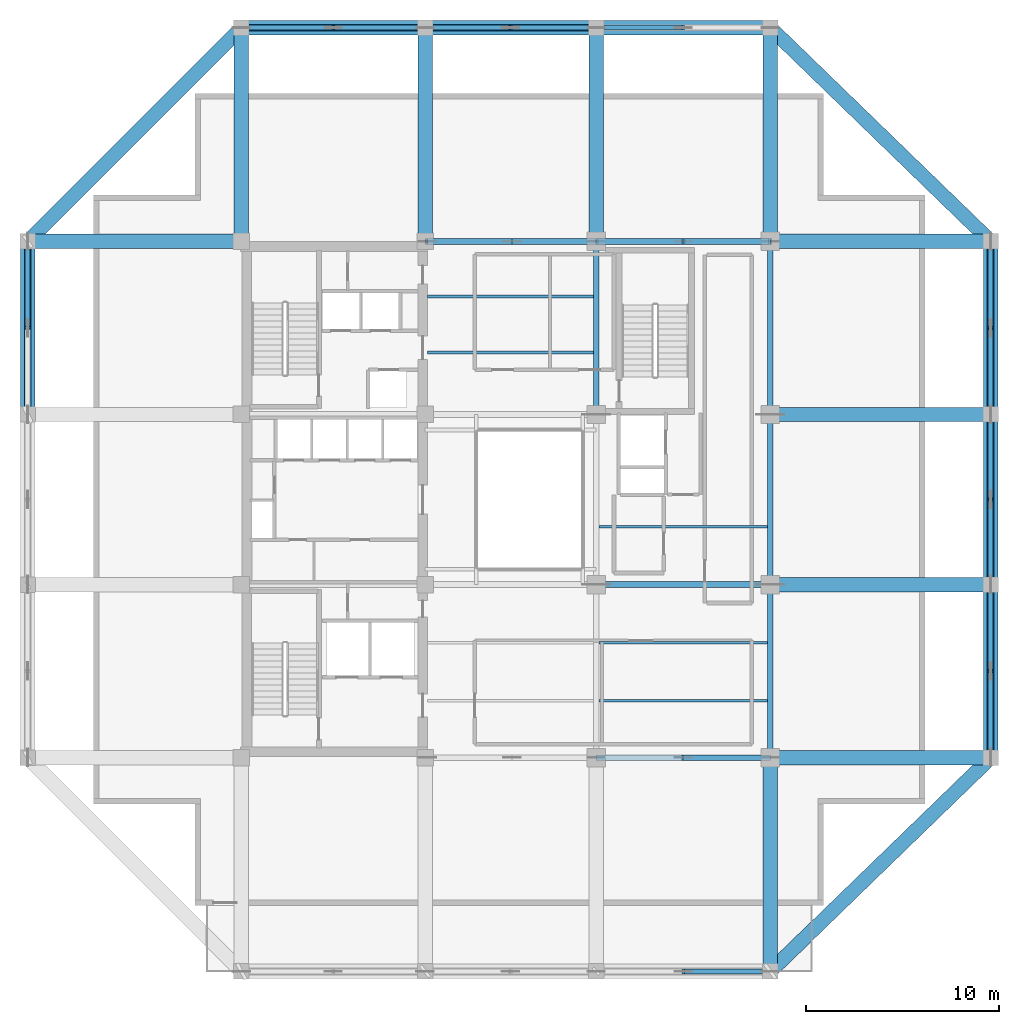
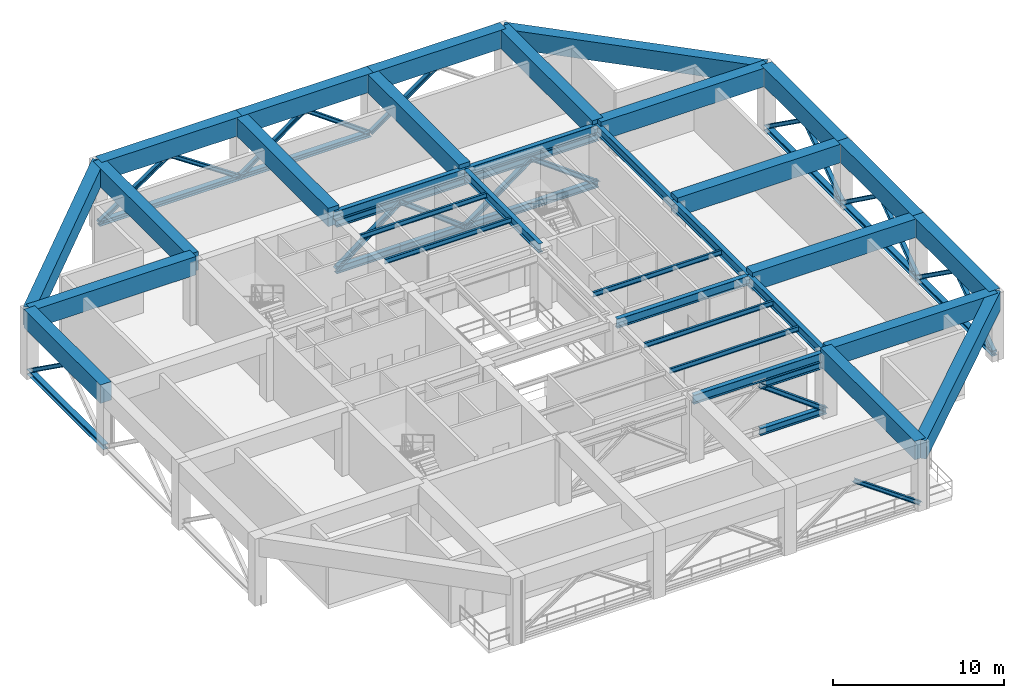
# One storey, part 2 of 10: 34 members, 33 beams.
"""IFC4 building model written with IfcOpenShell, lengths in metres."""

from ifc_helpers import new_model, si_unit, direction, frame, origin, origin_2d, place, context, subcontext, project, spatial, rectangle, i_section, extrude, material, material_profile, profile_set, type_object, element, save


model = new_model("IFC4")

# Units and contexts
model_context = context("Model", 3, precision=1e-05, world=origin(), true_north=direction((0.0, 1.0)))
body_context = subcontext(model_context, "Body", "Model", "MODEL_VIEW")
ifc_project = project(units=[si_unit("LENGTHUNIT", "METRE"), si_unit("AREAUNIT", "SQUARE_METRE"), si_unit("VOLUMEUNIT", "CUBIC_METRE"), si_unit("PLANEANGLEUNIT", "RADIAN"), si_unit("MASSUNIT", "GRAM", prefix="KILO")], contexts=[model_context])

# Site, building, storey
site_placement = place(None, origin())
site = spatial("IfcSite", under=ifc_project, at=site_placement, CompositionType="ELEMENT")
building_placement = place(site_placement, origin())
building = spatial("IfcBuilding", under=site, at=building_placement, Name="Kundavana Baori Tower", CompositionType="ELEMENT")
storey_placement = place(building_placement, frame((0.0, 0.0, 204.10009765625)))
storey = spatial("IfcBuildingStorey", under=building, at=storey_placement, Name="L50", CompositionType="ELEMENT", Elevation=204.10009765625)

# Beams
ifc_material_1 = material(Name="Structural Steel S355JR", Category="steel")
ifc_material_profile_1 = material_profile(ifc_material_1, i_section(OverallWidth=0.139892578125, OverallDepth=0.35009765625, WebThickness=0.008056640625, FlangeThickness=0.01416015625, FilletRadius=0.013916015625, at=origin_2d()), Name="ISMB 350")
ifc_profile_set_1 = profile_set([ifc_material_profile_1], Name="Structural Steel S355JR")
beam_type_1 = type_object("IfcBeamType", Name="BM-JST-350", PredefinedType="JOIST", material=ifc_profile_set_1)
for number, where, z_axis, x_axis, name in (
    (1, (25.080078125, 36.199951171875, 4.324951171875), (1.0, 0.0, 0.0), (0.0, 1.0, 0.0), "L50 Central Bay Composite Floor Joist C3"),
    (2, (25.080078125, 39.10009765625, 4.324951171875), (1.0, 0.0, 0.0), (0.0, 1.0, 0.0), "L50 Central Bay Composite Floor Joist C4"),
):
    element("IfcBeam", number, at=place(storey_placement, frame(where, z_axis=z_axis, x_axis=x_axis)), inside=storey, type_object=beam_type_1, Name=name, PredefinedType="JOIST", context=body_context, shape_type="SweptSolid", body=[
        extrude(i_section(OverallWidth=0.139892578125, OverallDepth=0.35009765625, WebThickness=0.008056640625, FlangeThickness=0.01416015625, FilletRadius=0.013916015625, at=origin_2d()), origin(), (0.0, 0.0, 1.0), 8.56982421875),
    ])
for number, where, z_axis, x_axis, name in (
    (3, (33.949951171875, 18.199951171875, 4.324951171875), (1.0, 0.0, 0.0), (0.0, 1.0, 0.0), "L50 East Bay Composite Floor Joist E1"),
    (4, (33.949951171875, 21.199951171875, 4.324951171875), (1.0, 0.0, 0.0), (0.0, 1.0, 0.0), "L50 East Bay Composite Floor Joist E2"),
    (5, (33.949951171875, 27.199951171875, 4.324951171875), (1.0, 0.0, 0.0), (0.0, 1.0, 0.0), "L50 East Bay Composite Floor Joist E3"),
):
    element("IfcBeam", number, at=place(storey_placement, frame(where, z_axis=z_axis, x_axis=x_axis)), inside=storey, type_object=beam_type_1, Name=name, PredefinedType="JOIST", context=body_context, shape_type="SweptSolid", body=[
        extrude(i_section(OverallWidth=0.139892578125, OverallDepth=0.35009765625, WebThickness=0.008056640625, FlangeThickness=0.01416015625, FilletRadius=0.013916015625, at=origin_2d()), origin(), (0.0, 0.0, 1.0), 8.699951171875),
    ])
ifc_material_2 = material(Name="Structural Steel S355JR", Category="steel")
ifc_material_profile_2 = material_profile(ifc_material_2, i_section(OverallWidth=0.300048828125, OverallDepth=0.64990234375, WebThickness=0.013427734375, FlangeThickness=0.02197265625, FilletRadius=0.02392578125, at=origin_2d()), Name="NPB 650x300x155")
ifc_profile_set_2 = profile_set([ifc_material_profile_2], Name="Structural Steel S355JR")
beam_type_2 = type_object("IfcBeamType", Name="BM-ST-650", PredefinedType="BEAM", material=ifc_profile_set_2)
for number, where, z_axis, x_axis, name in (
    (6, (33.800048828125, 15.25, 4.1748046875), (1.0, 0.0, 0.0), (0.0, 1.0, 0.0), "L50 Primary Grid Girder GX-1-3"),
    (7, (33.800048828125, 24.199951171875, 4.1748046875), (1.0, 0.0, 0.0), (0.0, 1.0, 0.0), "L50 Primary Grid Girder GX-2-3"),
):
    element("IfcBeam", number, at=place(storey_placement, frame(where, z_axis=z_axis, x_axis=x_axis)), inside=storey, type_object=beam_type_2, Name=name, PredefinedType="BEAM", context=body_context, shape_type="SweptSolid", body=[
        extrude(i_section(OverallWidth=0.300048828125, OverallDepth=0.64990234375, WebThickness=0.013427734375, FlangeThickness=0.02197265625, FilletRadius=0.02392578125, at=origin_2d()), origin(), (0.0, 0.0, 1.0), 9.0),
    ])
beam_1_placement = place(storey_placement, frame((24.949951171875, 41.949951171875, 4.1748046875), z_axis=(1.0, 0.0, 0.0), x_axis=(0.0, 1.0, 0.0)))
element("IfcBeam", 8, at=beam_1_placement, inside=storey, type_object=beam_type_2, Name="L50 Primary Grid Girder GX-4-2", PredefinedType="BEAM", context=body_context, shape_type="SweptSolid", body=[
    extrude(i_section(OverallWidth=0.300048828125, OverallDepth=0.64990234375, WebThickness=0.013427734375, FlangeThickness=0.02197265625, FilletRadius=0.02392578125, at=origin_2d()), origin(), (0.0, 0.0, 1.0), 8.85009765625),
])
beam_2_placement = place(storey_placement, frame((33.800048828125, 41.949951171875, 4.1748046875), z_axis=(1.0, 0.0, 0.0), x_axis=(0.0, 1.0, 0.0)))
element("IfcBeam", 9, at=beam_2_placement, inside=storey, type_object=beam_type_2, Name="L50 Primary Grid Girder GX-4-3", PredefinedType="BEAM", context=body_context, shape_type="SweptSolid", body=[
    extrude(i_section(OverallWidth=0.300048828125, OverallDepth=0.64990234375, WebThickness=0.013427734375, FlangeThickness=0.02197265625, FilletRadius=0.02392578125, at=origin_2d()), origin(), (0.0, 0.0, 1.0), 9.0),
])
for number, where, z_axis, x_axis, name in (
    (10, (33.800048828125, 33.0, 4.1748046875), (0.0, 1.0, 0.0), (-1.0, 0.0, 0.0), "L50 Primary Grid Girder GY-3-3"),
    (11, (42.800048828125, 15.25, 4.1748046875), (0.0, 1.0, 0.0), (-1.0, 0.0, 0.0), "L50 Primary Grid Girder GY-4-1"),
):
    element("IfcBeam", number, at=place(storey_placement, frame(where, z_axis=z_axis, x_axis=x_axis)), inside=storey, type_object=beam_type_2, Name=name, PredefinedType="BEAM", context=body_context, shape_type="SweptSolid", body=[
        extrude(i_section(OverallWidth=0.300048828125, OverallDepth=0.64990234375, WebThickness=0.013427734375, FlangeThickness=0.02197265625, FilletRadius=0.02392578125, at=origin_2d()), origin(), (0.0, 0.0, 1.0), 8.949951171875),
    ])
beam_3_placement = place(storey_placement, frame((42.800048828125, 24.199951171875, 4.1748046875), z_axis=(0.0, 1.0, 0.0), x_axis=(-1.0, 0.0, 0.0)))
element("IfcBeam", 12, at=beam_3_placement, inside=storey, type_object=beam_type_2, Name="L50 Primary Grid Girder GY-4-2", PredefinedType="BEAM", context=body_context, shape_type="SweptSolid", body=[
    extrude(i_section(OverallWidth=0.300048828125, OverallDepth=0.64990234375, WebThickness=0.013427734375, FlangeThickness=0.02197265625, FilletRadius=0.02392578125, at=origin_2d()), origin(), (0.0, 0.0, 1.0), 8.800048828125),
])
beam_4_placement = place(storey_placement, frame((42.800048828125, 33.0, 4.1748046875), z_axis=(0.0, 1.0, 0.0), x_axis=(-1.0, 0.0, 0.0)))
element("IfcBeam", 13, at=beam_4_placement, inside=storey, type_object=beam_type_2, Name="L50 Primary Grid Girder GY-4-3", PredefinedType="BEAM", context=body_context, shape_type="SweptSolid", body=[
    extrude(i_section(OverallWidth=0.300048828125, OverallDepth=0.64990234375, WebThickness=0.013427734375, FlangeThickness=0.02197265625, FilletRadius=0.02392578125, at=origin_2d()), origin(), (0.0, 0.0, 1.0), 8.949951171875),
])
ifc_material_3 = material(Name="Concrete C50/60", Category="concrete")
ifc_material_profile_3 = material_profile(ifc_material_3, rectangle(XDim=0.739990234375, YDim=1.320068359375, at=origin_2d()), Name="BM-TG-5")
ifc_profile_set_3 = profile_set([ifc_material_profile_3], Name="Concrete C50/60")
beam_type_3 = type_object("IfcBeamType", Name="BM-TG-5", PredefinedType="USERDEFINED", material=ifc_profile_set_3)
beam_5_placement = place(storey_placement, frame((15.449951171875, 53.0, 4.139892578125), z_axis=(1.0, 0.0, 0.0), x_axis=(0.0, 1.0, 0.0)))
element("IfcBeam", 14, at=beam_5_placement, inside=storey, type_object=beam_type_3, Name="L50 Perimeter Frame Ring Beam N1", ObjectType="TRANSFER GIRDER", PredefinedType="USERDEFINED", context=body_context, shape_type="SweptSolid", body=[
    extrude(rectangle(XDim=0.739990234375, YDim=1.320068359375, at=origin_2d()), origin(), (0.0, 0.0, 1.0), 9.5),
])
beam_6_placement = place(storey_placement, frame((24.949951171875, 53.0, 4.139892578125), z_axis=(1.0, 0.0, 0.0), x_axis=(0.0, 1.0, 0.0)))
element("IfcBeam", 15, at=beam_6_placement, inside=storey, type_object=beam_type_3, Name="L50 Perimeter Frame Ring Beam N2", ObjectType="TRANSFER GIRDER", PredefinedType="USERDEFINED", context=body_context, shape_type="SweptSolid", body=[
    extrude(rectangle(XDim=0.739990234375, YDim=1.320068359375, at=origin_2d()), origin(), (0.0, 0.0, 1.0), 8.85009765625),
])
beam_7_placement = place(storey_placement, frame((33.800048828125, 53.0, 4.139892578125), z_axis=(1.0, 0.0, 0.0), x_axis=(0.0, 1.0, 0.0)))
element("IfcBeam", 16, at=beam_7_placement, inside=storey, type_object=beam_type_3, Name="L50 Perimeter Frame Ring Beam N3", ObjectType="TRANSFER GIRDER", PredefinedType="USERDEFINED", context=body_context, shape_type="SweptSolid", body=[
    extrude(rectangle(XDim=0.739990234375, YDim=1.320068359375, at=origin_2d()), origin(), (0.0, 0.0, 1.0), 9.0),
])
for number, where, z_axis, x_axis, name in (
    (17, (4.39990234375, 33.0, 4.139892578125), (0.0, 1.0, 0.0), (-1.0, 0.0, 0.0), "L50 Perimeter Frame Ring Beam W3"),
    (18, (54.199951171875, 15.25, 4.139892578125), (0.0, 1.0, 0.0), (-1.0, 0.0, 0.0), "L50 Perimeter Frame Ring Beam E1"),
):
    element("IfcBeam", number, at=place(storey_placement, frame(where, z_axis=z_axis, x_axis=x_axis)), inside=storey, type_object=beam_type_3, Name=name, ObjectType="TRANSFER GIRDER", PredefinedType="USERDEFINED", context=body_context, shape_type="SweptSolid", body=[
        extrude(rectangle(XDim=0.739990234375, YDim=1.320068359375, at=origin_2d()), origin(), (0.0, 0.0, 1.0), 8.949951171875),
    ])
beam_8_placement = place(storey_placement, frame((54.199951171875, 24.199951171875, 4.139892578125), z_axis=(0.0, 1.0, 0.0), x_axis=(-1.0, 0.0, 0.0)))
element("IfcBeam", 19, at=beam_8_placement, inside=storey, type_object=beam_type_3, Name="L50 Perimeter Frame Ring Beam E2", ObjectType="TRANSFER GIRDER", PredefinedType="USERDEFINED", context=body_context, shape_type="SweptSolid", body=[
    extrude(rectangle(XDim=0.739990234375, YDim=1.320068359375, at=origin_2d()), origin(), (0.0, 0.0, 1.0), 8.800048828125),
])
beam_9_placement = place(storey_placement, frame((54.199951171875, 33.0, 4.139892578125), z_axis=(0.0, 1.0, 0.0), x_axis=(-1.0, 0.0, 0.0)))
element("IfcBeam", 20, at=beam_9_placement, inside=storey, type_object=beam_type_3, Name="L50 Perimeter Frame Ring Beam E3", ObjectType="TRANSFER GIRDER", PredefinedType="USERDEFINED", context=body_context, shape_type="SweptSolid", body=[
    extrude(rectangle(XDim=0.739990234375, YDim=1.320068359375, at=origin_2d()), origin(), (0.0, 0.0, 1.0), 8.949951171875),
])
beam_10_placement = place(storey_placement, frame((42.800048828125, 4.199951171875, 4.139892578125), z_axis=(0.718038944492, 0.696002926857, 0.0), x_axis=(-0.696002926857, 0.718038944492, 0.0)))
element("IfcBeam", 21, at=beam_10_placement, inside=storey, type_object=beam_type_3, Name="L50 Notched Corner Perimeter Beam SE", ObjectType="TRANSFER GIRDER", PredefinedType="USERDEFINED", context=body_context, shape_type="SweptSolid", body=[
    extrude(rectangle(XDim=0.739990234375, YDim=1.320068359375, at=origin_2d()), origin(), (0.0, 0.0, 1.0), 15.87646484375),
])
beam_11_placement = place(storey_placement, frame((15.449951171875, 53.0, 4.139892578125), z_axis=(-0.707106781187, -0.707106781187, 0.0), x_axis=(0.707106781187, -0.707106781187, 0.0)))
element("IfcBeam", 22, at=beam_11_placement, inside=storey, type_object=beam_type_3, Name="L50 Notched Corner Perimeter Beam NW", ObjectType="TRANSFER GIRDER", PredefinedType="USERDEFINED", context=body_context, shape_type="SweptSolid", body=[
    extrude(rectangle(XDim=0.739990234375, YDim=1.320068359375, at=origin_2d()), origin(), (0.0, 0.0, 1.0), 15.627197265625),
])
beam_12_placement = place(storey_placement, frame((42.800048828125, 53.0, 4.139892578125), z_axis=(0.718038944492, -0.696002926857, 0.0), x_axis=(0.696002926857, 0.718038944492, 0.0)))
element("IfcBeam", 23, at=beam_12_placement, inside=storey, type_object=beam_type_3, Name="L50 Notched Corner Perimeter Beam NE", ObjectType="TRANSFER GIRDER", PredefinedType="USERDEFINED", context=body_context, shape_type="SweptSolid", body=[
    extrude(rectangle(XDim=0.739990234375, YDim=1.320068359375, at=origin_2d()), origin(), (0.0, 0.0, 1.0), 15.87646484375),
])
for number, where, z_axis, x_axis, name in (
    (24, (15.449951171875, 41.949951171875, 4.139892578125), (0.0, 1.0, 0.0), (-1.0, 0.0, 0.0), "L50 North Radial Transfer Girder N1"),
    (25, (24.949951171875, 41.949951171875, 4.139892578125), (0.0, 1.0, 0.0), (-1.0, 0.0, 0.0), "L50 North Radial Transfer Girder N2"),
    (26, (33.800048828125, 41.949951171875, 4.139892578125), (0.0, 1.0, 0.0), (-1.0, 0.0, 0.0), "L50 North Radial Transfer Girder N3"),
    (27, (42.800048828125, 15.25, 4.139892578125), (0.0, -1.0, 0.0), (1.0, 0.0, 0.0), "L50 South Radial Transfer Girder S4"),
    (28, (42.800048828125, 41.949951171875, 4.139892578125), (0.0, 1.0, 0.0), (-1.0, 0.0, 0.0), "L50 North Radial Transfer Girder N4"),
):
    element("IfcBeam", number, at=place(storey_placement, frame(where, z_axis=z_axis, x_axis=x_axis)), inside=storey, type_object=beam_type_3, Name=name, ObjectType="TRANSFER GIRDER", PredefinedType="USERDEFINED", context=body_context, shape_type="SweptSolid", body=[
        extrude(rectangle(XDim=0.739990234375, YDim=1.320068359375, at=origin_2d()), origin(), (0.0, 0.0, 1.0), 11.050048828125),
    ])
for number, where, z_axis, x_axis, name in (
    (29, (42.800048828125, 15.25, 4.139892578125), (1.0, 0.0, 0.0), (0.0, 1.0, 0.0), "L50 East Radial Transfer Girder E1"),
    (30, (42.800048828125, 24.199951171875, 4.139892578125), (1.0, 0.0, 0.0), (0.0, 1.0, 0.0), "L50 East Radial Transfer Girder E2"),
    (31, (42.800048828125, 33.0, 4.139892578125), (1.0, 0.0, 0.0), (0.0, 1.0, 0.0), "L50 East Radial Transfer Girder E3"),
):
    element("IfcBeam", number, at=place(storey_placement, frame(where, z_axis=z_axis, x_axis=x_axis)), inside=storey, type_object=beam_type_3, Name=name, ObjectType="TRANSFER GIRDER", PredefinedType="USERDEFINED", context=body_context, shape_type="SweptSolid", body=[
        extrude(rectangle(XDim=0.739990234375, YDim=1.320068359375, at=origin_2d()), origin(), (0.0, 0.0, 1.0), 11.39990234375),
    ])
beam_13_placement = place(storey_placement, frame((15.449951171875, 41.949951171875, 4.139892578125), z_axis=(-1.0, 0.0, 0.0), x_axis=(0.0, -1.0, 0.0)))
element("IfcBeam", 32, at=beam_13_placement, inside=storey, type_object=beam_type_3, Name="L50 West Radial Transfer Girder W4", ObjectType="TRANSFER GIRDER", PredefinedType="USERDEFINED", context=body_context, shape_type="SweptSolid", body=[
    extrude(rectangle(XDim=0.739990234375, YDim=1.320068359375, at=origin_2d()), origin(), (0.0, 0.0, 1.0), 11.050048828125),
])
beam_14_placement = place(storey_placement, frame((42.800048828125, 41.949951171875, 4.139892578125), z_axis=(1.0, 0.0, 0.0), x_axis=(0.0, 1.0, 0.0)))
element("IfcBeam", 33, at=beam_14_placement, inside=storey, type_object=beam_type_3, Name="L50 East Radial Transfer Girder E4", ObjectType="TRANSFER GIRDER", PredefinedType="USERDEFINED", context=body_context, shape_type="SweptSolid", body=[
    extrude(rectangle(XDim=0.739990234375, YDim=1.320068359375, at=origin_2d()), origin(), (0.0, 0.0, 1.0), 11.39990234375),
])

# Members
ifc_material_4 = material(Name="Structural Steel S355JR", Category="steel")
ifc_material_profile_4 = material_profile(ifc_material_4, i_section(OverallWidth=0.360107421875, OverallDepth=0.360107421875, WebThickness=0.012451171875, FlangeThickness=0.0224609375, FilletRadius=0.02392578125, at=origin_2d()), Name="WPB 360x360x142")
ifc_profile_set_4 = profile_set([ifc_material_profile_4], Name="Structural Steel S355JR")
member_type_1 = type_object("IfcMemberType", Name="MEM-BT-CH360", PredefinedType="CHORD", material=ifc_profile_set_4)
member_1_placement = place(storey_placement, frame((15.449951171875, 53.0, 0.27978515625), z_axis=(1.0, 0.0, 0.0), x_axis=(0.0, 1.0, 0.0)))
element("IfcMember", 34, at=member_1_placement, inside=storey, type_object=member_type_1, Name="L50 Perimeter Belt Truss Bottom Chord N1", PredefinedType="CHORD", context=body_context, shape_type="SweptSolid", body=[
    extrude(i_section(OverallWidth=0.360107421875, OverallDepth=0.360107421875, WebThickness=0.012451171875, FlangeThickness=0.0224609375, FilletRadius=0.02392578125, at=origin_2d()), origin(), (0.0, 0.0, 1.0), 9.5),
])
member_2_placement = place(storey_placement, frame((24.949951171875, 53.0, 0.27978515625), z_axis=(1.0, 0.0, 0.0), x_axis=(0.0, 1.0, 0.0)))
element("IfcMember", 35, at=member_2_placement, inside=storey, type_object=member_type_1, Name="L50 Perimeter Belt Truss Bottom Chord N2", PredefinedType="CHORD", context=body_context, shape_type="SweptSolid", body=[
    extrude(i_section(OverallWidth=0.360107421875, OverallDepth=0.360107421875, WebThickness=0.012451171875, FlangeThickness=0.0224609375, FilletRadius=0.02392578125, at=origin_2d()), origin(), (0.0, 0.0, 1.0), 8.85009765625),
])
for number, where, z_axis, x_axis, name in (
    (36, (4.39990234375, 33.0, 0.27978515625), (0.0, 1.0, 0.0), (-1.0, 0.0, 0.0), "L50 Perimeter Belt Truss Bottom Chord W3"),
    (37, (54.199951171875, 15.25, 0.27978515625), (0.0, 1.0, 0.0), (-1.0, 0.0, 0.0), "L50 Perimeter Belt Truss Bottom Chord E1"),
):
    element("IfcMember", number, at=place(storey_placement, frame(where, z_axis=z_axis, x_axis=x_axis)), inside=storey, type_object=member_type_1, Name=name, PredefinedType="CHORD", context=body_context, shape_type="SweptSolid", body=[
        extrude(i_section(OverallWidth=0.360107421875, OverallDepth=0.360107421875, WebThickness=0.012451171875, FlangeThickness=0.0224609375, FilletRadius=0.02392578125, at=origin_2d()), origin(), (0.0, 0.0, 1.0), 8.949951171875),
    ])
member_3_placement = place(storey_placement, frame((54.199951171875, 24.199951171875, 0.27978515625), z_axis=(0.0, 1.0, 0.0), x_axis=(-1.0, 0.0, 0.0)))
element("IfcMember", 38, at=member_3_placement, inside=storey, type_object=member_type_1, Name="L50 Perimeter Belt Truss Bottom Chord E2", PredefinedType="CHORD", context=body_context, shape_type="SweptSolid", body=[
    extrude(i_section(OverallWidth=0.360107421875, OverallDepth=0.360107421875, WebThickness=0.012451171875, FlangeThickness=0.0224609375, FilletRadius=0.02392578125, at=origin_2d()), origin(), (0.0, 0.0, 1.0), 8.800048828125),
])
member_4_placement = place(storey_placement, frame((54.199951171875, 33.0, 0.27978515625), z_axis=(0.0, 1.0, 0.0), x_axis=(-1.0, 0.0, 0.0)))
element("IfcMember", 39, at=member_4_placement, inside=storey, type_object=member_type_1, Name="L50 Perimeter Belt Truss Bottom Chord E3", PredefinedType="CHORD", context=body_context, shape_type="SweptSolid", body=[
    extrude(i_section(OverallWidth=0.360107421875, OverallDepth=0.360107421875, WebThickness=0.012451171875, FlangeThickness=0.0224609375, FilletRadius=0.02392578125, at=origin_2d()), origin(), (0.0, 0.0, 1.0), 8.949951171875),
])
ifc_material_5 = material(Name="Structural Steel S355JR", Category="steel")
ifc_material_profile_5 = material_profile(ifc_material_5, i_section(OverallWidth=0.260009765625, OverallDepth=0.260009765625, WebThickness=0.010009765625, FlangeThickness=0.017578125, FilletRadius=0.02392578125, at=origin_2d()), Name="WPB 260x260x93")
ifc_profile_set_5 = profile_set([ifc_material_profile_5], Name="Structural Steel S355JR")
member_type_2 = type_object("IfcMemberType", Name="MEM-BT-DG260", PredefinedType="BRACE", material=ifc_profile_set_5)
member_5_placement = place(storey_placement, frame((42.800048828125, 4.199951171875, 0.27978515625), z_axis=(-0.814938619191, 0.0, 0.57954727758), x_axis=(0.0, -1.0, 0.0)))
element("IfcMember", 40, at=member_5_placement, inside=storey, type_object=member_type_2, Name="L50 Perimeter Belt Truss Diagonal S3B", PredefinedType="BRACE", context=body_context, shape_type="SweptSolid", body=[
    extrude(i_section(OverallWidth=0.260009765625, OverallDepth=0.260009765625, WebThickness=0.010009765625, FlangeThickness=0.017578125, FilletRadius=0.02392578125, at=origin_2d()), origin(), (0.0, 0.0, 1.0), 5.52197265625),
])
for number, where, z_axis, x_axis, name in (
    (41, (15.449951171875, 53.0, 0.27978515625), (0.829338568263, 0.0, 0.558746399712), (0.0, 1.0, 0.0), "L50 Perimeter Belt Truss Diagonal N1A"),
    (42, (24.949951171875, 53.0, 0.27978515625), (-0.829338568263, 0.0, 0.558746399712), (0.0, -1.0, 0.0), "L50 Perimeter Belt Truss Diagonal N1B"),
):
    element("IfcMember", number, at=place(storey_placement, frame(where, z_axis=z_axis, x_axis=x_axis)), inside=storey, type_object=member_type_2, Name=name, PredefinedType="BRACE", context=body_context, shape_type="SweptSolid", body=[
        extrude(i_section(OverallWidth=0.260009765625, OverallDepth=0.260009765625, WebThickness=0.010009765625, FlangeThickness=0.017578125, FilletRadius=0.02392578125, at=origin_2d()), origin(), (0.0, 0.0, 1.0), 5.7275390625),
    ])
for number, where, z_axis, x_axis, name in (
    (43, (24.949951171875, 53.0, 0.27978515625), (0.810303001692, 0.0, 0.586011130824), (0.0, 1.0, 0.0), "L50 Perimeter Belt Truss Diagonal N2A"),
    (44, (33.800048828125, 53.0, 0.27978515625), (-0.810303001692, 0.0, 0.586011130824), (0.0, -1.0, 0.0), "L50 Perimeter Belt Truss Diagonal N2B"),
):
    element("IfcMember", number, at=place(storey_placement, frame(where, z_axis=z_axis, x_axis=x_axis)), inside=storey, type_object=member_type_2, Name=name, PredefinedType="BRACE", context=body_context, shape_type="SweptSolid", body=[
        extrude(i_section(OverallWidth=0.260009765625, OverallDepth=0.260009765625, WebThickness=0.010009765625, FlangeThickness=0.017578125, FilletRadius=0.02392578125, at=origin_2d()), origin(), (0.0, 0.0, 1.0), 5.4609375),
    ])
member_6_placement = place(storey_placement, frame((33.800048828125, 53.0, 0.27978515625), z_axis=(0.814938619191, 0.0, 0.57954727758), x_axis=(0.0, 1.0, 0.0)))
element("IfcMember", 45, at=member_6_placement, inside=storey, type_object=member_type_2, Name="L50 Perimeter Belt Truss Diagonal N3A", PredefinedType="BRACE", context=body_context, shape_type="SweptSolid", body=[
    extrude(i_section(OverallWidth=0.260009765625, OverallDepth=0.260009765625, WebThickness=0.010009765625, FlangeThickness=0.017578125, FilletRadius=0.02392578125, at=origin_2d()), origin(), (0.0, 0.0, 1.0), 5.52197265625),
])
member_7_placement = place(storey_placement, frame((4.39990234375, 41.949951171875, 0.27978515625), z_axis=(0.0, -0.813400504372, 0.581704065214), x_axis=(1.0, 0.0, 0.0)))
element("IfcMember", 46, at=member_7_placement, inside=storey, type_object=member_type_2, Name="L50 Perimeter Belt Truss Diagonal W3B", PredefinedType="BRACE", context=body_context, shape_type="SweptSolid", body=[
    extrude(i_section(OverallWidth=0.260009765625, OverallDepth=0.260009765625, WebThickness=0.010009765625, FlangeThickness=0.017578125, FilletRadius=0.02392578125, at=origin_2d()), origin(), (0.0, 0.0, 1.0), 5.50146484375),
])
member_8_placement = place(storey_placement, frame((54.199951171875, 15.25, 0.27978515625), z_axis=(0.0, 0.813415520099, 0.581683068055), x_axis=(-1.0, 0.0, 0.0)))
element("IfcMember", 47, at=member_8_placement, inside=storey, type_object=member_type_2, Name="L50 Perimeter Belt Truss Diagonal E1A", PredefinedType="BRACE", context=body_context, shape_type="SweptSolid", body=[
    extrude(i_section(OverallWidth=0.260009765625, OverallDepth=0.260009765625, WebThickness=0.010009765625, FlangeThickness=0.017578125, FilletRadius=0.02392578125, at=origin_2d()), origin(), (0.0, 0.0, 1.0), 5.501708984375),
])
member_9_placement = place(storey_placement, frame((54.199951171875, 24.199951171875, 0.27978515625), z_axis=(0.0, -0.813400504372, 0.581704065214), x_axis=(1.0, 0.0, 0.0)))
element("IfcMember", 48, at=member_9_placement, inside=storey, type_object=member_type_2, Name="L50 Perimeter Belt Truss Diagonal E1B", PredefinedType="BRACE", context=body_context, shape_type="SweptSolid", body=[
    extrude(i_section(OverallWidth=0.260009765625, OverallDepth=0.260009765625, WebThickness=0.010009765625, FlangeThickness=0.017578125, FilletRadius=0.02392578125, at=origin_2d()), origin(), (0.0, 0.0, 1.0), 5.50146484375),
])
member_10_placement = place(storey_placement, frame((54.199951171875, 24.199951171875, 0.27978515625), z_axis=(0.0, 0.808728322587, 0.588182369887), x_axis=(-1.0, 0.0, 0.0)))
element("IfcMember", 49, at=member_10_placement, inside=storey, type_object=member_type_2, Name="L50 Perimeter Belt Truss Diagonal E2A", PredefinedType="BRACE", context=body_context, shape_type="SweptSolid", body=[
    extrude(i_section(OverallWidth=0.260009765625, OverallDepth=0.260009765625, WebThickness=0.010009765625, FlangeThickness=0.017578125, FilletRadius=0.02392578125, at=origin_2d()), origin(), (0.0, 0.0, 1.0), 5.44091796875),
])
member_11_placement = place(storey_placement, frame((54.199951171875, 33.0, 0.27978515625), z_axis=(0.0, -0.808712797887, 0.588203715165), x_axis=(1.0, 0.0, 0.0)))
element("IfcMember", 50, at=member_11_placement, inside=storey, type_object=member_type_2, Name="L50 Perimeter Belt Truss Diagonal E2B", PredefinedType="BRACE", context=body_context, shape_type="SweptSolid", body=[
    extrude(i_section(OverallWidth=0.260009765625, OverallDepth=0.260009765625, WebThickness=0.010009765625, FlangeThickness=0.017578125, FilletRadius=0.02392578125, at=origin_2d()), origin(), (0.0, 0.0, 1.0), 5.440673828125),
])
member_12_placement = place(storey_placement, frame((54.199951171875, 33.0, 0.27978515625), z_axis=(0.0, 0.813415520099, 0.581683068055), x_axis=(-1.0, 0.0, 0.0)))
element("IfcMember", 51, at=member_12_placement, inside=storey, type_object=member_type_2, Name="L50 Perimeter Belt Truss Diagonal E3A", PredefinedType="BRACE", context=body_context, shape_type="SweptSolid", body=[
    extrude(i_section(OverallWidth=0.260009765625, OverallDepth=0.260009765625, WebThickness=0.010009765625, FlangeThickness=0.017578125, FilletRadius=0.02392578125, at=origin_2d()), origin(), (0.0, 0.0, 1.0), 5.501708984375),
])
member_13_placement = place(storey_placement, frame((54.199951171875, 41.949951171875, 0.27978515625), z_axis=(0.0, -0.813400504372, 0.581704065214), x_axis=(1.0, 0.0, 0.0)))
element("IfcMember", 52, at=member_13_placement, inside=storey, type_object=member_type_2, Name="L50 Perimeter Belt Truss Diagonal E3B", PredefinedType="BRACE", context=body_context, shape_type="SweptSolid", body=[
    extrude(i_section(OverallWidth=0.260009765625, OverallDepth=0.260009765625, WebThickness=0.010009765625, FlangeThickness=0.017578125, FilletRadius=0.02392578125, at=origin_2d()), origin(), (0.0, 0.0, 1.0), 5.50146484375),
])
ifc_material_6 = material(Name="Structural Steel S355JR", Category="steel")
ifc_material_profile_6 = material_profile(ifc_material_6, i_section(OverallWidth=0.300048828125, OverallDepth=0.5, WebThickness=0.014404296875, FlangeThickness=0.028076171875, FilletRadius=0.02392578125, at=origin_2d()), Name="WPB 500x300x155")
ifc_profile_set_6 = profile_set([ifc_material_profile_6], Name="Structural Steel S355JR")
member_type_3 = type_object("IfcMemberType", Name="MEM-OT-CH500", PredefinedType="CHORD", material=ifc_profile_set_6)
for number, where, z_axis, x_axis, name in (
    (53, (38.300048828125, 15.25, 0.27978515625), (1.0, 0.0, 0.0), (0.0, 1.0, 0.0), "L50 Outrigger Truss OT1 Bottom Chord 2B"),
    (54, (38.300048828125, 15.25, 3.599853515625), (1.0, 0.0, 0.0), (0.0, 1.0, 0.0), "L50 Outrigger Truss OT1 Top Chord 2B"),
):
    element("IfcMember", number, at=place(storey_placement, frame(where, z_axis=z_axis, x_axis=x_axis)), inside=storey, type_object=member_type_3, Name=name, PredefinedType="CHORD", context=body_context, shape_type="SweptSolid", body=[
        extrude(i_section(OverallWidth=0.300048828125, OverallDepth=0.5, WebThickness=0.014404296875, FlangeThickness=0.028076171875, FilletRadius=0.02392578125, at=origin_2d()), origin(), (0.0, 0.0, 1.0), 4.5),
    ])
member_14_placement = place(storey_placement, frame((25.080078125, 41.949951171875, 0.27978515625), z_axis=(1.0, 0.0, 0.0), x_axis=(0.0, 1.0, 0.0)))
element("IfcMember", 55, at=member_14_placement, inside=storey, type_object=member_type_3, Name="L50 Outrigger Truss OT2 Bottom Chord 1A", PredefinedType="CHORD", context=body_context, shape_type="SweptSolid", body=[
    extrude(i_section(OverallWidth=0.300048828125, OverallDepth=0.5, WebThickness=0.014404296875, FlangeThickness=0.028076171875, FilletRadius=0.02392578125, at=origin_2d()), origin(), (0.0, 0.0, 1.0), 4.35986328125),
])
member_15_placement = place(storey_placement, frame((29.43994140625, 41.949951171875, 0.27978515625), z_axis=(1.0, 0.0, 0.0), x_axis=(0.0, 1.0, 0.0)))
element("IfcMember", 56, at=member_15_placement, inside=storey, type_object=member_type_3, Name="L50 Outrigger Truss OT2 Bottom Chord 1B", PredefinedType="CHORD", context=body_context, shape_type="SweptSolid", body=[
    extrude(i_section(OverallWidth=0.300048828125, OverallDepth=0.5, WebThickness=0.014404296875, FlangeThickness=0.028076171875, FilletRadius=0.02392578125, at=origin_2d()), origin(), (0.0, 0.0, 1.0), 4.360107421875),
])
member_16_placement = place(storey_placement, frame((25.080078125, 41.949951171875, 3.599853515625), z_axis=(1.0, 0.0, 0.0), x_axis=(0.0, 1.0, 0.0)))
element("IfcMember", 57, at=member_16_placement, inside=storey, type_object=member_type_3, Name="L50 Outrigger Truss OT2 Top Chord 1A", PredefinedType="CHORD", context=body_context, shape_type="SweptSolid", body=[
    extrude(i_section(OverallWidth=0.300048828125, OverallDepth=0.5, WebThickness=0.014404296875, FlangeThickness=0.028076171875, FilletRadius=0.02392578125, at=origin_2d()), origin(), (0.0, 0.0, 1.0), 4.35986328125),
])
member_17_placement = place(storey_placement, frame((29.43994140625, 41.949951171875, 3.599853515625), z_axis=(1.0, 0.0, 0.0), x_axis=(0.0, 1.0, 0.0)))
element("IfcMember", 58, at=member_17_placement, inside=storey, type_object=member_type_3, Name="L50 Outrigger Truss OT2 Top Chord 1B", PredefinedType="CHORD", context=body_context, shape_type="SweptSolid", body=[
    extrude(i_section(OverallWidth=0.300048828125, OverallDepth=0.5, WebThickness=0.014404296875, FlangeThickness=0.028076171875, FilletRadius=0.02392578125, at=origin_2d()), origin(), (0.0, 0.0, 1.0), 4.360107421875),
])
for number, where, z_axis, x_axis, name in (
    (59, (33.800048828125, 41.949951171875, 0.27978515625), (1.0, 0.0, 0.0), (0.0, 1.0, 0.0), "L50 Outrigger Truss OT2 Bottom Chord 2A"),
    (60, (38.300048828125, 41.949951171875, 0.27978515625), (1.0, 0.0, 0.0), (0.0, 1.0, 0.0), "L50 Outrigger Truss OT2 Bottom Chord 2B"),
    (61, (33.800048828125, 41.949951171875, 3.599853515625), (1.0, 0.0, 0.0), (0.0, 1.0, 0.0), "L50 Outrigger Truss OT2 Top Chord 2A"),
    (62, (38.300048828125, 41.949951171875, 3.599853515625), (1.0, 0.0, 0.0), (0.0, 1.0, 0.0), "L50 Outrigger Truss OT2 Top Chord 2B"),
):
    element("IfcMember", number, at=place(storey_placement, frame(where, z_axis=z_axis, x_axis=x_axis)), inside=storey, type_object=member_type_3, Name=name, PredefinedType="CHORD", context=body_context, shape_type="SweptSolid", body=[
        extrude(i_section(OverallWidth=0.300048828125, OverallDepth=0.5, WebThickness=0.014404296875, FlangeThickness=0.028076171875, FilletRadius=0.02392578125, at=origin_2d()), origin(), (0.0, 0.0, 1.0), 4.5),
    ])
ifc_material_7 = material(Name="Structural Steel S355JR", Category="steel")
ifc_material_profile_7 = material_profile(ifc_material_7, i_section(OverallWidth=0.300048828125, OverallDepth=0.300048828125, WebThickness=0.010986328125, FlangeThickness=0.01904296875, FilletRadius=0.02392578125, at=origin_2d()), Name="WPB 300x300x117")
ifc_profile_set_7 = profile_set([ifc_material_profile_7], Name="Structural Steel S355JR")
member_type_4 = type_object("IfcMemberType", Name="MEM-OT-DG300", PredefinedType="BRACE", material=ifc_profile_set_7)
member_18_placement = place(storey_placement, frame((42.800048828125, 15.25, 0.27978515625), z_axis=(-0.804690280558, 0.0, 0.593694831017), x_axis=(0.0, -1.0, 0.0)))
element("IfcMember", 63, at=member_18_placement, inside=storey, type_object=member_type_4, Name="L50 Outrigger Truss OT1 Diagonal 2B", PredefinedType="BRACE", context=body_context, shape_type="SweptSolid", body=[
    extrude(i_section(OverallWidth=0.300048828125, OverallDepth=0.300048828125, WebThickness=0.010986328125, FlangeThickness=0.01904296875, FilletRadius=0.02392578125, at=origin_2d()), origin(), (0.0, 0.0, 1.0), 5.59228515625),
])
member_19_placement = place(storey_placement, frame((25.080078125, 41.949951171875, 0.27978515625), z_axis=(0.795584074456, 0.0, 0.605843197924), x_axis=(0.0, 1.0, 0.0)))
element("IfcMember", 64, at=member_19_placement, inside=storey, type_object=member_type_4, Name="L50 Outrigger Truss OT2 Diagonal 1A", PredefinedType="BRACE", context=body_context, shape_type="SweptSolid", body=[
    extrude(i_section(OverallWidth=0.300048828125, OverallDepth=0.300048828125, WebThickness=0.010986328125, FlangeThickness=0.01904296875, FilletRadius=0.02392578125, at=origin_2d()), origin(), (0.0, 0.0, 1.0), 5.47998046875),
])
member_20_placement = place(storey_placement, frame((33.800048828125, 41.949951171875, 0.27978515625), z_axis=(-0.795600425695, 0.0, 0.605821725126), x_axis=(0.0, -1.0, 0.0)))
element("IfcMember", 65, at=member_20_placement, inside=storey, type_object=member_type_4, Name="L50 Outrigger Truss OT2 Diagonal 1B", PredefinedType="BRACE", context=body_context, shape_type="SweptSolid", body=[
    extrude(i_section(OverallWidth=0.300048828125, OverallDepth=0.300048828125, WebThickness=0.010986328125, FlangeThickness=0.01904296875, FilletRadius=0.02392578125, at=origin_2d()), origin(), (0.0, 0.0, 1.0), 5.480224609375),
])
for number, where, z_axis, x_axis, name in (
    (66, (33.800048828125, 41.949951171875, 0.27978515625), (0.804690280558, 0.0, 0.593694831017), (0.0, 1.0, 0.0), "L50 Outrigger Truss OT2 Diagonal 2A"),
    (67, (42.800048828125, 41.949951171875, 0.27978515625), (-0.804690280558, 0.0, 0.593694831017), (0.0, -1.0, 0.0), "L50 Outrigger Truss OT2 Diagonal 2B"),
):
    element("IfcMember", number, at=place(storey_placement, frame(where, z_axis=z_axis, x_axis=x_axis)), inside=storey, type_object=member_type_4, Name=name, PredefinedType="BRACE", context=body_context, shape_type="SweptSolid", body=[
        extrude(i_section(OverallWidth=0.300048828125, OverallDepth=0.300048828125, WebThickness=0.010986328125, FlangeThickness=0.01904296875, FilletRadius=0.02392578125, at=origin_2d()), origin(), (0.0, 0.0, 1.0), 5.59228515625),
    ])

save(model, "model.ifc")
